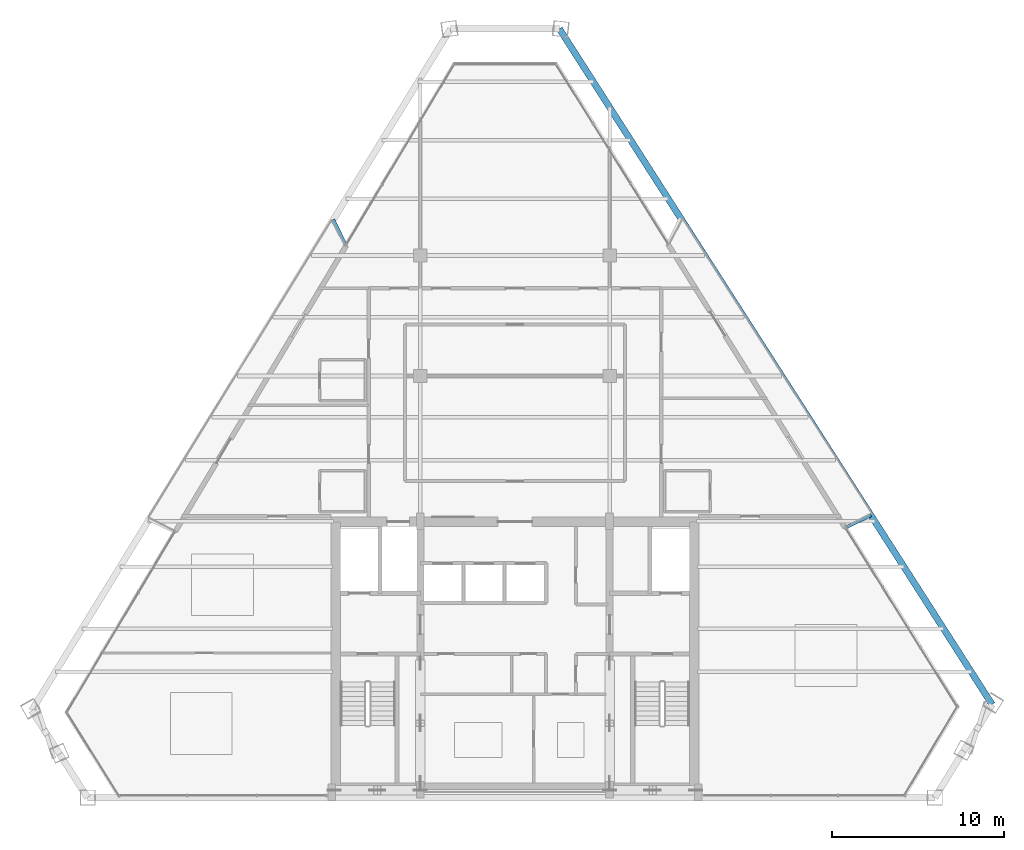
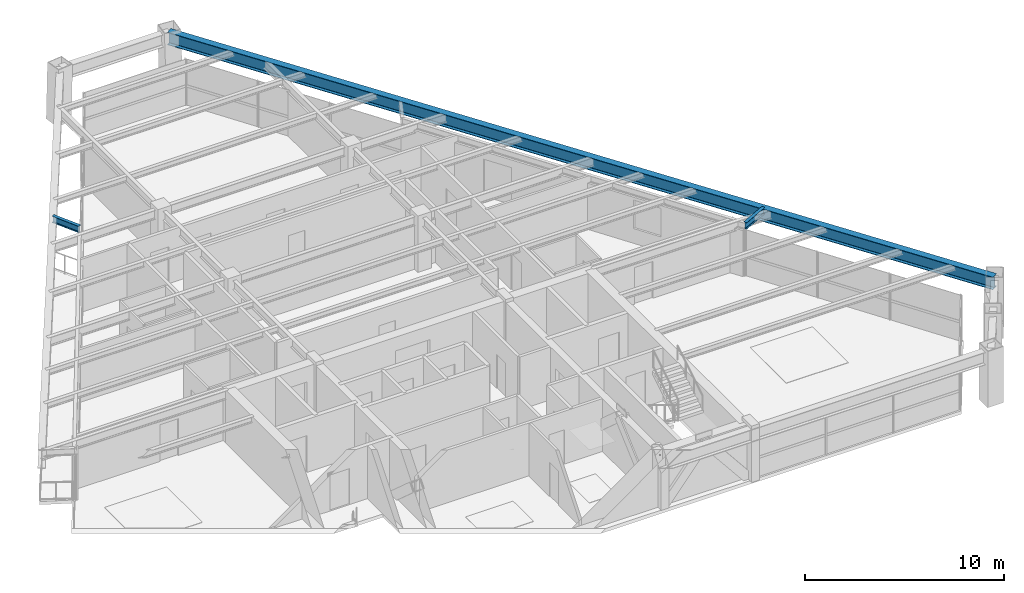
# One storey, part 5 of 12: 3 beams.
"""IFC4 building model written with IfcOpenShell, lengths in metres."""

from ifc_helpers import new_model, si_unit, direction, frame, origin, origin_2d, place, context, subcontext, project, spatial, i_section, extrude, source, transform, mapped, material, material_profile, profile_set, type_object, element, save


model = new_model("IFC4")

# Units and contexts
model_context = context("Model", 3, precision=1e-05, world=origin(), true_north=direction((0.0, 1.0)))
body_context = subcontext(model_context, "Body", "Model", "MODEL_VIEW")
ifc_project = project(units=[si_unit("LENGTHUNIT", "METRE"), si_unit("AREAUNIT", "SQUARE_METRE"), si_unit("VOLUMEUNIT", "CUBIC_METRE"), si_unit("PLANEANGLEUNIT", "RADIAN"), si_unit("MASSUNIT", "GRAM", prefix="KILO")], contexts=[model_context])

# Site, building, storey
site_placement = place(None, origin())
site = spatial("IfcSite", under=ifc_project, at=site_placement, CompositionType="ELEMENT")
building_placement = place(site_placement, origin())
building = spatial("IfcBuilding", under=site, at=building_placement, Name="Varnakhor Terracotta Tower", CompositionType="ELEMENT")
storey_placement = place(building_placement, frame((0.0, 0.0, 223.449951171875)))
storey = spatial("IfcBuildingStorey", under=building, at=storey_placement, Name="L57", CompositionType="ELEMENT", Elevation=223.449951171875)

# Beams
ifc_material = material(Name="Steel S355", Category="steel")
ifc_material_profile_1 = material_profile(ifc_material, i_section(OverallWidth=0.381103515625, OverallDepth=0.77294921875, WebThickness=0.01708984375, FlangeThickness=0.027099609375, FilletRadius=0.01806640625, at=origin_2d()), Name="W30X173")
ifc_profile_set_1 = profile_set([ifc_material_profile_1], Name="Steel S355")
beam_type_1 = type_object("IfcBeamType", Name="BM-W30X173", PredefinedType="BEAM", material=ifc_profile_set_1)
shared_shape_1 = source(origin(), body_context, "Body", "SweptSolid", [
    extrude(i_section(OverallWidth=0.381103515625, OverallDepth=0.77294921875, WebThickness=0.01708984375, FlangeThickness=0.027099609375, FilletRadius=0.01806640625, at=origin_2d()), origin(), (0.0, 0.0, 1.0), 46.63671875),
])
beam_1_placement = place(storey_placement, frame((27.73046875, 5.405517578125, 2.853515625), z_axis=(-0.539298931695, 0.842114399754, 0.0), x_axis=(-0.842114399754, -0.539298931695, 0.0)))
element("IfcBeam", 1, at=beam_1_placement, inside=storey, type_object=beam_type_1, Name="L57 Perimeter Spandrel 4", PredefinedType="BEAM", context=body_context, shape_type="MappedRepresentation", body=[
    mapped(shared_shape_1, transform((0.0, 0.0, 0.0), scale=1.0)),
])
ifc_material_profile_2 = material_profile(ifc_material, i_section(OverallWidth=0.179931640625, OverallDepth=0.39990234375, WebThickness=0.008544921875, FlangeThickness=0.013427734375, FilletRadius=0.01806640625, at=origin_2d()), Name="IPE400")
ifc_profile_set_2 = profile_set([ifc_material_profile_2], Name="Steel S355")
beam_type_2 = type_object("IfcBeamType", Name="JST-IPE400", PredefinedType="JOIST", material=ifc_profile_set_2)
shared_shape_2 = source(origin(), body_context, "Body", "SweptSolid", [
    extrude(i_section(OverallWidth=0.179931640625, OverallDepth=0.39990234375, WebThickness=0.008544921875, FlangeThickness=0.013427734375, FilletRadius=0.01806640625, at=origin_2d()), origin(), (0.0, 0.0, 1.0), 1.618408203125),
])
beam_2_placement = place(storey_placement, frame((-9.841552734375, 32.1328125, 3.0400390625), z_axis=(-0.44110855317, 0.89745375609, 0.0), x_axis=(-0.89745375609, -0.44110855317, 0.0)))
element("IfcBeam", 2, at=beam_2_placement, inside=storey, type_object=beam_type_2, Name="L58 W Loggia Tie Beam 2", PredefinedType="JOIST", context=body_context, shape_type="MappedRepresentation", body=[
    mapped(shared_shape_2, transform((0.0, 0.0, 0.0), scale=1.0)),
])
shared_shape_3 = source(origin(), body_context, "Body", "SweptSolid", [
    extrude(i_section(OverallWidth=0.179931640625, OverallDepth=0.39990234375, WebThickness=0.008544921875, FlangeThickness=0.013427734375, FilletRadius=0.01806640625, at=origin_2d()), origin(), (0.0, 0.0, 1.0), 1.6357421875),
])
beam_3_placement = place(storey_placement, frame((19.214111328125, 15.69287109375, 3.0400390625), z_axis=(0.901129102315, 0.433550851644, 0.0), x_axis=(-0.433550851644, 0.901129102315, 0.0)))
element("IfcBeam", 3, at=beam_3_placement, inside=storey, type_object=beam_type_2, Name="L58 E Loggia Tie Beam 2", PredefinedType="JOIST", context=body_context, shape_type="MappedRepresentation", body=[
    mapped(shared_shape_3, transform((0.0, 0.0, 0.0), scale=1.0)),
])

save(model, "model.ifc")
